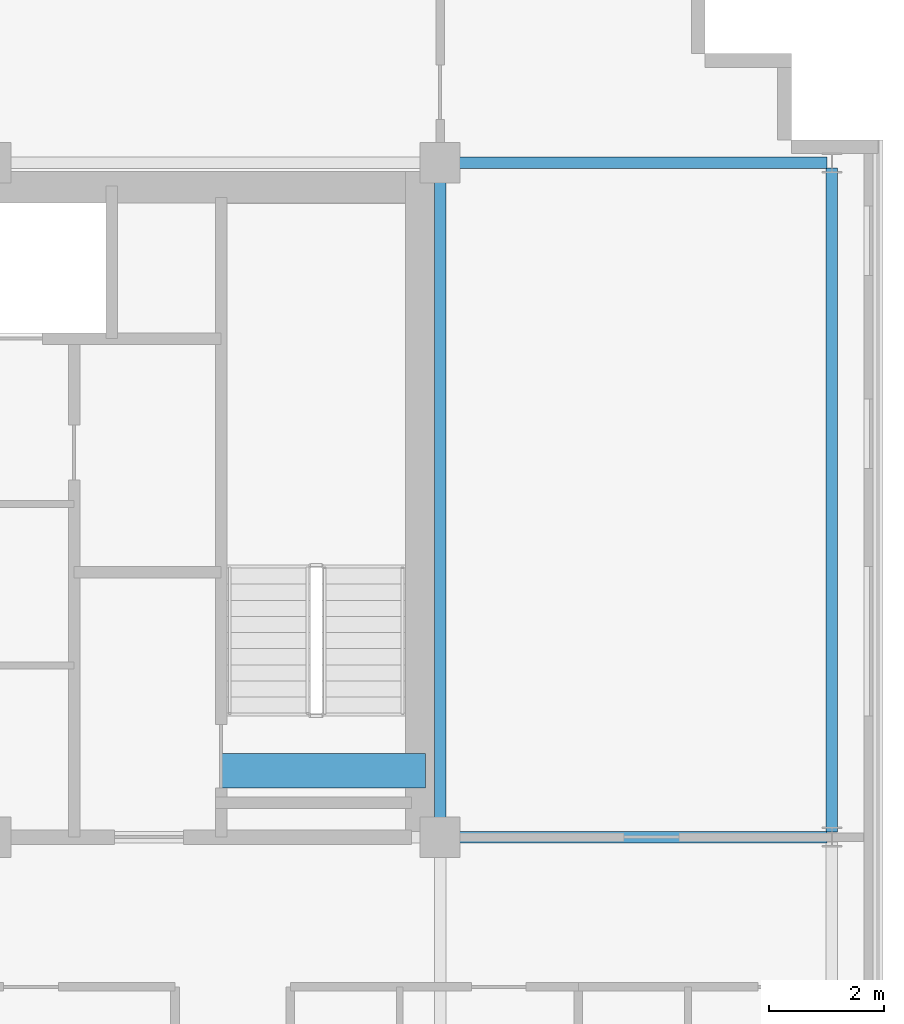
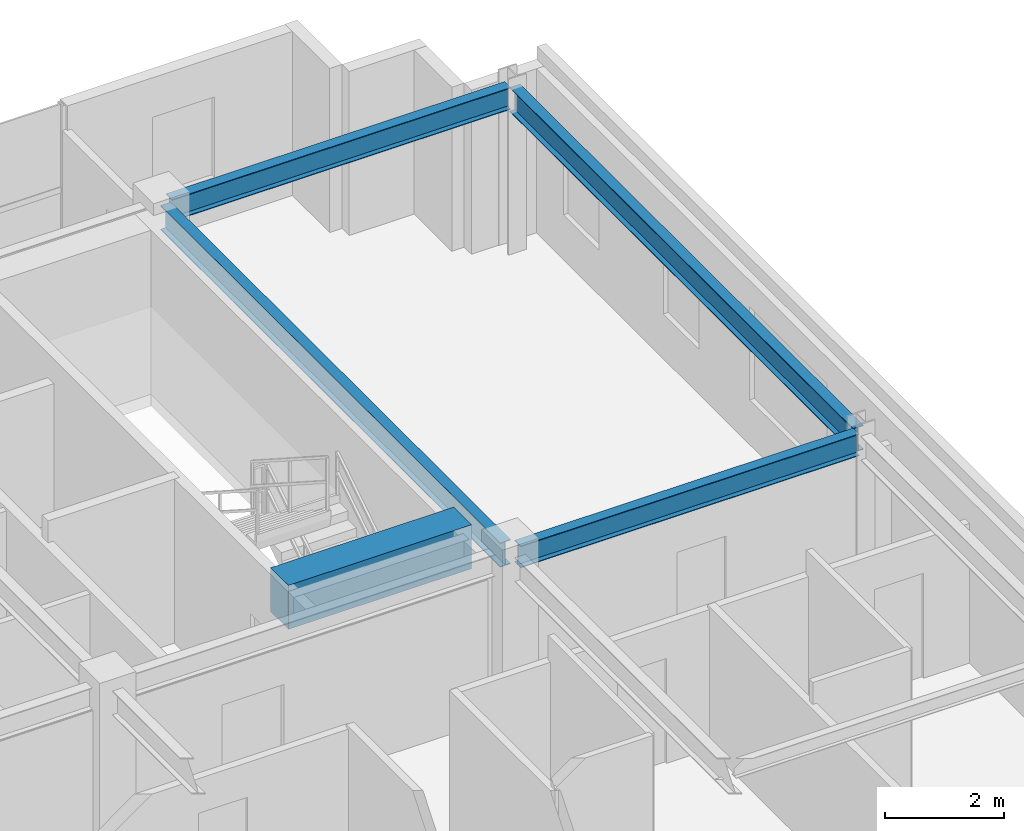
# One storey, part 24 of 35: 5 beams.
"""IFC4 building model written with IfcOpenShell, lengths in metres."""

from ifc_helpers import new_model, si_unit, direction, frame, origin, origin_2d, place, context, subcontext, project, spatial, rectangle, i_section, extrude, source, transform, mapped, material, material_profile, profile_set, type_object, element, save


model = new_model("IFC4")

# Units and contexts
model_context = context("Model", 3, precision=1e-05, world=origin(), true_north=direction((0.0, 1.0)))
body_context = subcontext(model_context, "Body", "Model", "MODEL_VIEW")
ifc_project = project(units=[si_unit("LENGTHUNIT", "METRE"), si_unit("AREAUNIT", "SQUARE_METRE"), si_unit("VOLUMEUNIT", "CUBIC_METRE"), si_unit("PLANEANGLEUNIT", "RADIAN"), si_unit("MASSUNIT", "GRAM", prefix="KILO")], contexts=[model_context])

# Site, building, storey
site_placement = place(None, origin())
site = spatial("IfcSite", under=ifc_project, at=site_placement, CompositionType="ELEMENT")
building_placement = place(site_placement, origin())
building = spatial("IfcBuilding", under=site, at=building_placement, Name="Trelvane Seafront Commons", CompositionType="ELEMENT")
storey_placement = place(building_placement, frame((0.0, 0.0, 194.10009765625)))
storey = spatial("IfcBuildingStorey", under=building, at=storey_placement, Name="L50", CompositionType="ELEMENT", Elevation=194.10009765625)

# Beams
ifc_material_1 = material(Name="Concrete C60/75", Category="concrete")
ifc_material_profile_1 = material_profile(ifc_material_1, rectangle(XDim=0.60009765625, YDim=0.89990234375, at=origin_2d()), Name="RC-600x900")
ifc_profile_set_1 = profile_set([ifc_material_profile_1], Name="Concrete C60/75")
beam_type_1 = type_object("IfcBeamType", Name="STR-LNT-RC600x900", PredefinedType="LINTEL", material=ifc_profile_set_1)
shared_shape_1 = source(origin(), body_context, "Body", "SweptSolid", [
    extrude(rectangle(XDim=0.60009765625, YDim=0.89990234375, at=origin_2d()), origin(), (0.0, 0.0, 1.0), 3.550048828125),
])
beam_1_placement = place(storey_placement, frame((55.0, 34.550048828125, 2.909912109375), z_axis=(1.0, 0.0, 0.0), x_axis=(0.0, 1.0, 0.0)))
element("IfcBeam", 1, at=beam_1_placement, inside=storey, type_object=beam_type_1, Name="L50 Core Coupling Lintel Beam CB-68", PredefinedType="LINTEL", context=body_context, shape_type="MappedRepresentation", body=[
    mapped(shared_shape_1, transform((0.0, 0.0, 0.0), x_axis=(1.0, 0.0, 0.0), y_axis=(0.0, 1.0, 0.0), z_axis=(0.0, 0.0, 1.0), scale=1.0)),
])
ifc_material_2 = material(Name="Steel SM355 (S355)", Category="steel")
ifc_material_profile_2 = material_profile(ifc_material_2, i_section(OverallWidth=0.199951171875, OverallDepth=0.5, WebThickness=0.010009765625, FlangeThickness=0.01611328125, at=origin_2d()), Name="H-500x200x10x16")
ifc_profile_set_2 = profile_set([ifc_material_profile_2], Name="Steel SM355 (S355)")
beam_type_2 = type_object("IfcBeamType", Name="STR-BM-H500", PredefinedType="BEAM", material=ifc_profile_set_2)
shared_shape_2 = source(origin(), body_context, "Body", "SweptSolid", [
    extrude(i_section(OverallWidth=0.199951171875, OverallDepth=0.5, WebThickness=0.010009765625, FlangeThickness=0.01611328125, at=origin_2d()), origin(), (0.0, 0.0, 1.0), 11.39990234375),
])
beam_2_placement = place(storey_placement, frame((58.800048828125, 33.550048828125, 3.10986328125), z_axis=(0.0, 1.0, 0.0), x_axis=(-1.0, 0.0, 0.0)))
element("IfcBeam", 2, at=beam_2_placement, inside=storey, type_object=beam_type_2, Name="L50 Primary Girder G-49", PredefinedType="BEAM", context=body_context, shape_type="MappedRepresentation", body=[
    mapped(shared_shape_2, transform((0.0, 0.0, 0.0), x_axis=(1.0, 0.0, 0.0), y_axis=(0.0, 1.0, 0.0), z_axis=(0.0, 0.0, 1.0), scale=1.0)),
])
ifc_material_profile_3 = material_profile(ifc_material_2, i_section(OverallWidth=0.199951171875, OverallDepth=0.449951171875, WebThickness=0.009033203125, FlangeThickness=0.013916015625, at=origin_2d()), Name="H-450x200x9x14")
ifc_profile_set_3 = profile_set([ifc_material_profile_3], Name="Steel SM355 (S355)")
beam_type_3 = type_object("IfcBeamType", Name="STR-SPD-H450", PredefinedType="SPANDREL", material=ifc_profile_set_3)
shared_shape_3 = source(origin(), body_context, "Body", "SweptSolid", [
    extrude(i_section(OverallWidth=0.199951171875, OverallDepth=0.449951171875, WebThickness=0.009033203125, FlangeThickness=0.013916015625, at=origin_2d()), origin(), (0.0, 0.0, 1.0), 6.5625),
])
for number, where, z_axis, x_axis, name in (
    (3, (58.949951171875, 33.39990234375, 3.135009765625), (1.0, 0.0, 0.0), (0.0, 1.0, 0.0), "L50 Primary Girder G-21"),
    (4, (58.949951171875, 45.10009765625, 3.135009765625), (1.0, 0.0, 0.0), (0.0, 1.0, 0.0), "L50 Primary Girder G-28"),
):
    element("IfcBeam", number, at=place(storey_placement, frame(where, z_axis=z_axis, x_axis=x_axis)), inside=storey, type_object=beam_type_3, Name=name, PredefinedType="SPANDREL", context=body_context, shape_type="MappedRepresentation", body=[
        mapped(shared_shape_3, transform((0.0, 0.0, 0.0), x_axis=(1.0, 0.0, 0.0), y_axis=(0.0, 1.0, 0.0), z_axis=(0.0, 0.0, 1.0), scale=1.0)),
    ])
shared_shape_4 = source(origin(), body_context, "Body", "SweptSolid", [
    extrude(i_section(OverallWidth=0.199951171875, OverallDepth=0.5, WebThickness=0.010009765625, FlangeThickness=0.01611328125, at=origin_2d()), origin(), (0.0, 0.0, 1.0), 11.52490234375),
])
beam_3_placement = place(storey_placement, frame((65.60009765625, 33.487548828125, 3.10986328125), z_axis=(0.0, 1.0, 0.0), x_axis=(-1.0, 0.0, 0.0)))
element("IfcBeam", 5, at=beam_3_placement, inside=storey, type_object=beam_type_2, Name="L50 Primary Girder G-52", PredefinedType="BEAM", context=body_context, shape_type="MappedRepresentation", body=[
    mapped(shared_shape_4, transform((0.0, 0.0, 0.0), x_axis=(1.0, 0.0, 0.0), y_axis=(0.0, 1.0, 0.0), z_axis=(0.0, 0.0, 1.0), scale=1.0)),
])

save(model, "model.ifc")
